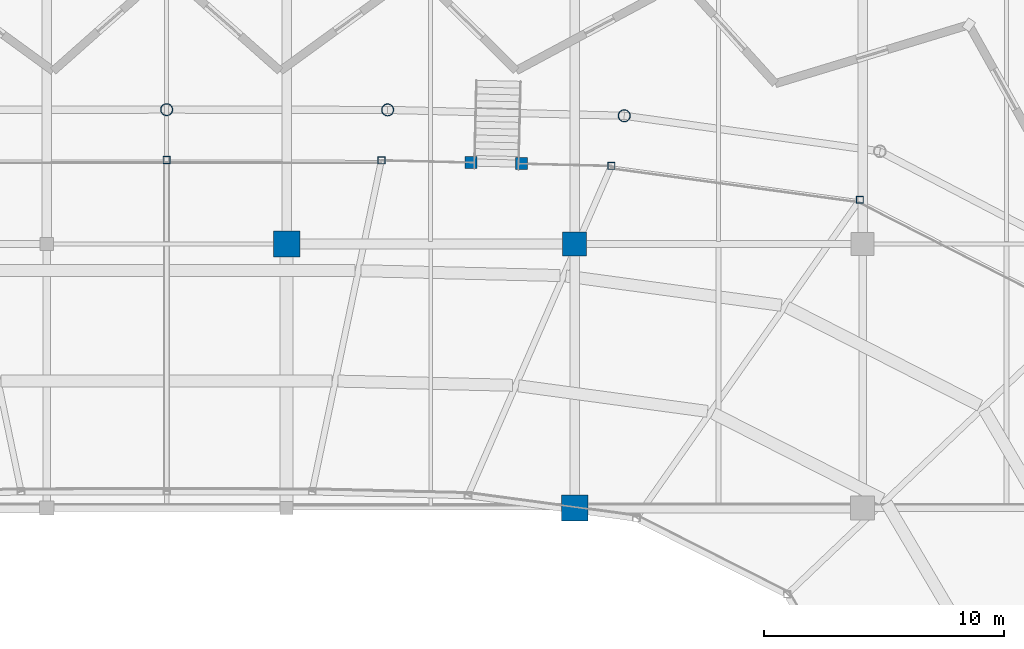
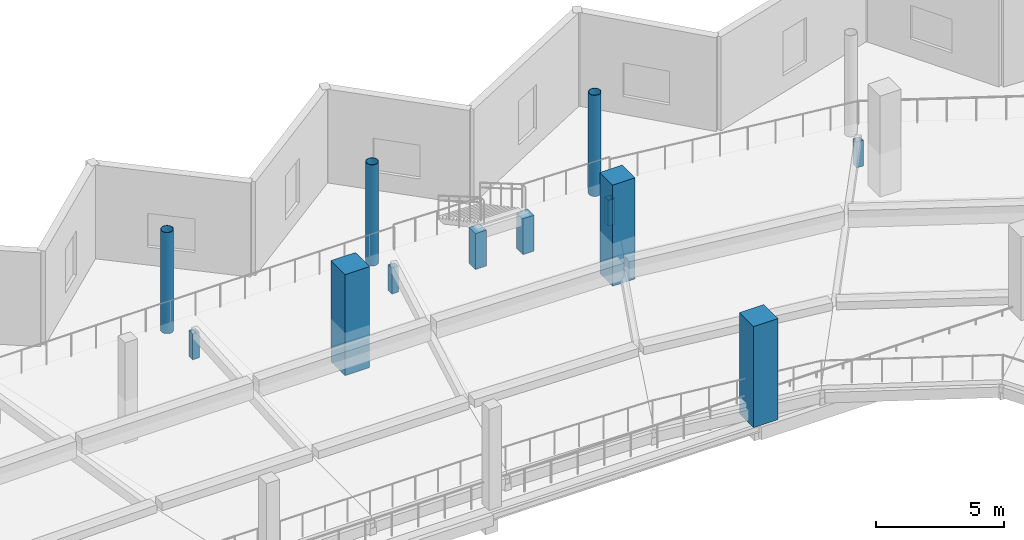
# One storey, part 11 of 77: 12 columns.
"""IFC4 building model written with IfcOpenShell, lengths in metres."""

from ifc_helpers import new_model, si_unit, direction, frame, origin, origin_2d, place, context, subcontext, project, spatial, rectangle, hollow_rectangle, hollow_circle, extrude, material, material_profile, profile_set, type_object, element, save


model = new_model("IFC4")

# Units and contexts
model_context = context("Model", 3, precision=1e-05, world=origin(), true_north=direction((0.0, 1.0)))
body_context = subcontext(model_context, "Body", "Model", "MODEL_VIEW")
ifc_project = project(units=[si_unit("LENGTHUNIT", "METRE"), si_unit("AREAUNIT", "SQUARE_METRE"), si_unit("VOLUMEUNIT", "CUBIC_METRE"), si_unit("PLANEANGLEUNIT", "RADIAN"), si_unit("MASSUNIT", "GRAM", prefix="KILO")], contexts=[model_context])

# Site, building, storey
site_placement = place(None, origin())
site = spatial("IfcSite", under=ifc_project, at=site_placement, CompositionType="ELEMENT")
building_placement = place(site_placement, origin())
building = spatial("IfcBuilding", under=site, at=building_placement, Name="Luwafu Chhajja Arena", CompositionType="ELEMENT")
storey_placement = place(building_placement, frame((0.0, 0.0, 14.699951171875)))
storey = spatial("IfcBuildingStorey", under=building, at=storey_placement, Name="L03", CompositionType="ELEMENT", Elevation=14.699951171875)

# Columns
ifc_material_1 = material(Name="Concrete C40/50", Category="concrete")
ifc_material_profile_1 = material_profile(ifc_material_1, rectangle(XDim=1.0, YDim=1.0, at=origin_2d()), Name="RC 1000x1000")
ifc_profile_set_1 = profile_set([ifc_material_profile_1], Name="Concrete C40/50")
column_type_1 = type_object("IfcColumnType", Name="Bowl Primary Column RC 1000", PredefinedType="COLUMN", material=ifc_profile_set_1)
column_placement = place(storey_placement, frame((116.0, 88.0, 0.0), z_axis=(0.0, 0.0, 1.0), x_axis=(1.0, 0.0, 0.0)))
element("IfcColumn", 1, at=column_placement, inside=storey, type_object=column_type_1, Name="L03 Grid Column 11/J", PredefinedType="COLUMN", context=body_context, shape_type="SweptSolid", body=[
    extrude(rectangle(XDim=1.0, YDim=1.0, at=origin_2d()), origin(), (0.0, 0.0, 1.0), 4.800048828125),
])
ifc_material_profile_2 = material_profile(ifc_material_1, rectangle(XDim=1.10009765625, YDim=1.10009765625, at=origin_2d()), Name="RC 1100x1100")
ifc_profile_set_2 = profile_set([ifc_material_profile_2], Name="Concrete C40/50")
column_type_2 = type_object("IfcColumnType", Name="Bowl Rim Mega Column RC 1100", PredefinedType="COLUMN", material=ifc_profile_set_2)
for number, where, z_axis, x_axis, name in (
    (2, (104.0, 88.0, 0.0), (0.0, 0.0, 1.0), (1.0, 0.0, 0.0), "L03 Grid Column 10/J"),
    (3, (116.0, 77.0, 0.0), (0.0, 0.0, 1.0), (1.0, 0.0, 0.0), "L03 Grid Column 11/H"),
):
    element("IfcColumn", number, at=place(storey_placement, frame(where, z_axis=z_axis, x_axis=x_axis)), inside=storey, type_object=column_type_2, Name=name, PredefinedType="COLUMN", context=body_context, shape_type="SweptSolid", body=[
        extrude(rectangle(XDim=1.10009765625, YDim=1.10009765625, at=origin_2d()), origin(), (0.0, 0.0, 1.0), 4.800048828125),
    ])
ifc_material_2 = material(Name="Concrete C35/45", Category="concrete")
ifc_material_profile_3 = material_profile(ifc_material_2, rectangle(XDim=0.5, YDim=0.5, at=origin_2d()), Name="RC 500x500")
ifc_profile_set_3 = profile_set([ifc_material_profile_3], Name="Concrete C35/45")
column_type_3 = type_object("IfcColumnType", Name="Pavilion Column RC 500", PredefinedType="COLUMN", material=ifc_profile_set_3)
for number, where, z_axis, x_axis, name in (
    (4, (113.789794921875, 91.347412109375, 0.0), (0.0, 0.0, 1.0), (1.0, 0.0, 0.0), "L03 Vomitory Header Column VU07A"),
    (5, (111.6904296875, 91.398193359375, 0.0), (0.0, 0.0, 1.0), (1.0, 0.0, 0.0), "L03 Vomitory Header Column VU07B"),
):
    element("IfcColumn", number, at=place(storey_placement, frame(where, z_axis=z_axis, x_axis=x_axis)), inside=storey, type_object=column_type_3, Name=name, PredefinedType="COLUMN", context=body_context, shape_type="SweptSolid", body=[
        extrude(rectangle(XDim=0.5, YDim=0.5, at=origin_2d()), origin(), (0.0, 0.0, 1.0), 1.699951171875),
    ])
ifc_material_3 = material(Name="Steel S355", Category="steel")
ifc_material_profile_4 = material_profile(ifc_material_3, hollow_rectangle(XDim=0.300048828125, YDim=0.300048828125, WallThickness=0.01611328125, at=origin_2d()), Name="SHS 300x300x16")
ifc_profile_set_4 = profile_set([ifc_material_profile_4], Name="Steel S355")
column_type_4 = type_object("IfcColumnType", Name="Steel Gallery Post SHS 300", PredefinedType="COLUMN", material=ifc_profile_set_4)
for number, where, z_axis, x_axis, name in (
    (6, (127.883544921875, 89.845458984375, 0.0), (0.0, 0.0, 1.0), (1.0, 0.0, 0.0), "L03 Upper Raker Rear Post 06"),
    (7, (117.53173828125, 91.2568359375, 0.0), (0.0, 0.0, 1.0), (1.0, 0.0, 0.0), "L03 Upper Raker Rear Post 07"),
    (8, (107.948486328125, 91.48876953125, 0.0), (0.0, 0.0, 1.0), (1.0, 0.0, 0.0), "L03 Upper Raker Rear Post 08"),
    (9, (99.0, 91.5, 0.0), (0.0, 0.0, 1.0), (1.0, 0.0, 0.0), "L03 Upper Raker Rear Post 09"),
):
    element("IfcColumn", number, at=place(storey_placement, frame(where, z_axis=z_axis, x_axis=x_axis)), inside=storey, type_object=column_type_4, Name=name, PredefinedType="COLUMN", context=body_context, shape_type="SweptSolid", body=[
        extrude(hollow_rectangle(XDim=0.300048828125, YDim=0.300048828125, WallThickness=0.01611328125, at=origin_2d()), origin(), (0.0, 0.0, 1.0), 1.219970703125),
    ])
ifc_material_profile_5 = material_profile(ifc_material_3, hollow_circle(Radius=0.25390625, WallThickness=0.02001953125, at=origin_2d()), Name="CHS 508x20")
ifc_profile_set_5 = profile_set([ifc_material_profile_5], Name="Steel S355")
column_type_5 = type_object("IfcColumnType", Name="Steel Upper Drum Column CHS 508", PredefinedType="COLUMN", material=ifc_profile_set_5)
for number, where, z_axis, x_axis, name in (
    (10, (118.067138671875, 93.3447265625, 0.0), (0.0, 0.0, 1.0), (1.0, 0.0, 0.0), "L03 Bowl Drum Column D07"),
    (11, (108.207275390625, 93.588134765625, 0.0), (0.0, 0.0, 1.0), (1.0, 0.0, 0.0), "L03 Bowl Drum Column D08"),
    (12, (99.0, 93.60009765625, 0.0), (0.0, 0.0, 1.0), (1.0, 0.0, 0.0), "L03 Bowl Drum Column D09"),
):
    element("IfcColumn", number, at=place(storey_placement, frame(where, z_axis=z_axis, x_axis=x_axis)), inside=storey, type_object=column_type_5, Name=name, PredefinedType="COLUMN", context=body_context, shape_type="SweptSolid", body=[
        extrude(hollow_circle(Radius=0.25390625, WallThickness=0.02001953125, at=origin_2d()), origin(), (0.0, 0.0, 1.0), 4.800048828125),
    ])

save(model, "model.ifc")
